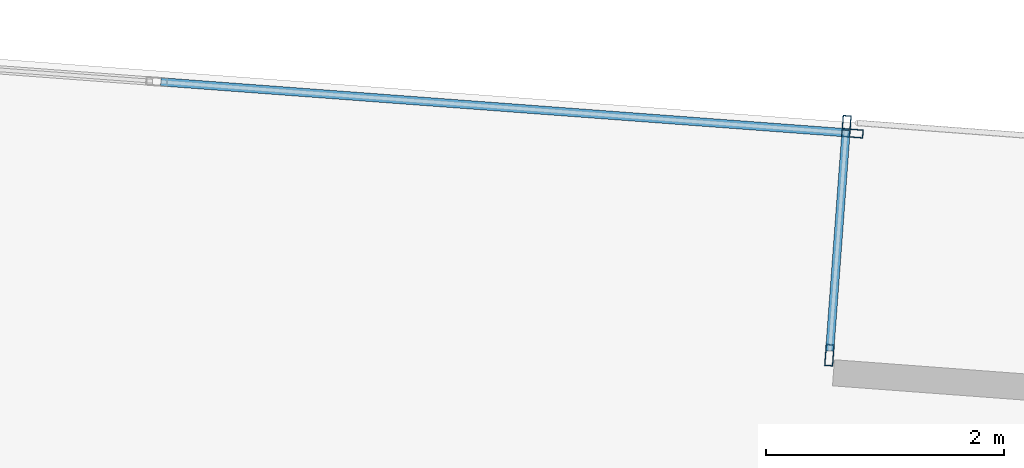
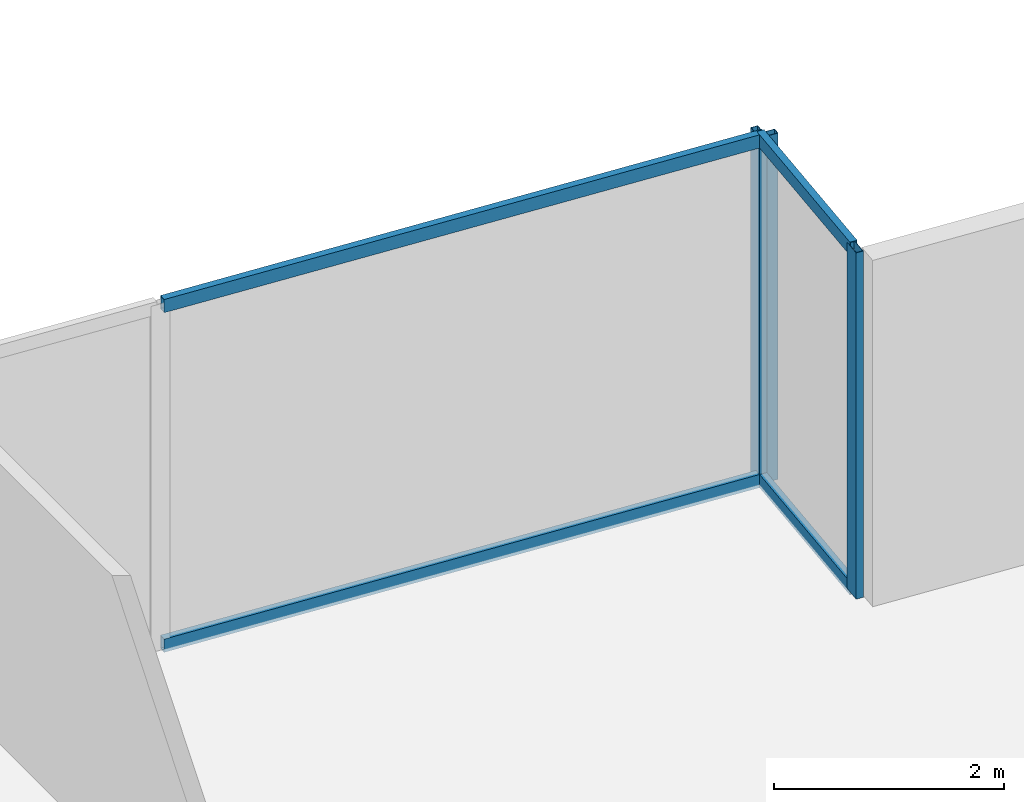
# One storey, part 20 of 30: 7 members, 2 elements without a shape of their own.
"""IFC4 building model written with IfcOpenShell, lengths in metres."""

import ifcopenshell
import ifcopenshell.guid

model = None  # the IFC model being written
_history = None  # IfcOwnerHistory: only IFC2X3 demands one
_inside = {}  # id of a spatial element -> (the spatial element, [elements in it])
_under = {}  # id of a project, library or spatial element -> (it, [spatial elements below it])
_declared = {}  # id of a project -> (the project, [libraries it declares])
_typed = {}  # id of a type object -> (the type object, [elements of that type])
_made_of = {}  # id of a material, layer set ... -> (it, [elements and type objects made of it])


def new_model(schema):
    """Start an empty IFC model of exactly this schema.

    Asked for "IFC4X3", IfcOpenShell would pick the latest addendum, in which some entities
    have other attributes; the version numbers below select the first issue.
    IFC2X3 requires an IfcOwnerHistory on every rooted entity: one is made here for all.
    """
    global model, _history
    if schema == "IFC4X3":
        model = ifcopenshell.file(schema_version=(4, 3, 0, 0))
    else:
        model = ifcopenshell.file(schema=schema)
    _inside.clear()
    _under.clear()
    _declared.clear()
    _typed.clear()
    _made_of.clear()
    _history = None
    if model.schema == "IFC2X3":
        org = make("IfcOrganization", Name="unknown")
        user = make(
            "IfcPersonAndOrganization",
            ThePerson=make("IfcPerson", FamilyName="unknown"),
            TheOrganization=org,
        )
        app = make(
            "IfcApplication",
            ApplicationDeveloper=org,
            Version="unknown",
            ApplicationFullName="unknown",
            ApplicationIdentifier="unknown",
        )
        _history = make(
            "IfcOwnerHistory",
            OwningUser=user,
            OwningApplication=app,
            ChangeAction="ADDED",
            CreationDate=0,
        )
    return model


def make(cls, **values):
    """One entity of the class cls with the attributes given. An attribute that is None is left unset."""
    return model.create_entity(
        cls, **{name: value for name, value in values.items() if value is not None}
    )


def rooted(cls, **values):
    """An entity with a GlobalId (a new one), such as an element, a storey or a relation."""
    return make(cls, GlobalId=ifcopenshell.guid.new(), OwnerHistory=_history, **values)


def si_unit(unit_type, name, prefix=None):
    """IfcSIUnit, for example si_unit("LENGTHUNIT", "METRE", prefix="MILLI")."""
    return make("IfcSIUnit", UnitType=unit_type, Prefix=prefix, Name=name)


def assignment(units):
    """IfcUnitAssignment: the units of a project."""
    return None if units is None else make("IfcUnitAssignment", Units=units)


def point(xyz):
    """IfcCartesianPoint."""
    return None if xyz is None else make("IfcCartesianPoint", Coordinates=xyz)


def direction(xyz):
    """IfcDirection."""
    return None if xyz is None else make("IfcDirection", DirectionRatios=xyz)


def frame(location, z_axis=None, x_axis=None):
    """IfcAxis2Placement3D, a coordinate frame: its origin and axes. An axis left out is left unset."""
    return make(
        "IfcAxis2Placement3D",
        Location=point(location),
        Axis=direction(z_axis),
        RefDirection=direction(x_axis),
    )


def frame_2d(location, x_axis=None):
    """IfcAxis2Placement2D, a coordinate frame in the plane: its origin and x axis."""
    return make(
        "IfcAxis2Placement2D", Location=point(location), RefDirection=direction(x_axis)
    )


def origin():
    """The frame at (0, 0, 0) with its axes left unset."""
    return frame((0.0, 0.0, 0.0))


def origin_2d():
    """The frame at (0, 0) in the plane with its x axis left unset."""
    return frame_2d((0.0, 0.0))


def place(relative_to, where):
    """IfcLocalPlacement: puts the frame where relative to a parent placement (None: the world)."""
    return make(
        "IfcLocalPlacement", PlacementRelTo=relative_to, RelativePlacement=where
    )


def context(
    kind, dimensions, precision=None, world=None, true_north=None, identifier=None
):
    """IfcGeometricRepresentationContext, for example the 3D "Model" context."""
    return make(
        "IfcGeometricRepresentationContext",
        ContextIdentifier=identifier,
        ContextType=kind,
        CoordinateSpaceDimension=dimensions,
        Precision=precision,
        WorldCoordinateSystem=world,
        TrueNorth=true_north,
    )


def subcontext(parent, identifier, kind, view, scale=None):
    """IfcGeometricRepresentationSubContext, for example "Body" below "Model"."""
    return make(
        "IfcGeometricRepresentationSubContext",
        ContextIdentifier=identifier,
        ContextType=kind,
        ParentContext=parent,
        TargetScale=scale,
        TargetView=view,
    )


def project(units=None, contexts=None):
    """IfcProject with its units and contexts."""
    return rooted(
        "IfcProject",
        Name="project",
        RepresentationContexts=contexts,
        UnitsInContext=assignment(units),
    )


def spatial(cls, under=None, at=None, **own):
    """A site, building, storey or space (cls), placed at a placement, below another one or the project."""
    s = rooted(cls, ObjectPlacement=at, **own)
    if under is not None:
        _under.setdefault(under.id(), (under, []))[1].append(s)
    return s


def profile(cls, at=None, kind="AREA", **sizes):
    """A parametric profile (cls). Its sizes go by their IFC names, for example OverallWidth=200.0."""
    return make(cls, ProfileType=kind, Position=at, **sizes)


def hollow_rectangle(**sizes):
    """IfcRectangleHollowProfileDef."""
    return profile("IfcRectangleHollowProfileDef", **sizes)


def extrude(swept, where, along, depth):
    """IfcExtrudedAreaSolid: the profile swept, set in the frame where, extruded along a direction by depth."""
    return make(
        "IfcExtrudedAreaSolid",
        SweptArea=swept,
        Position=where,
        ExtrudedDirection=direction(along),
        Depth=depth,
    )


def shape(context_of_items, identifier, shape_type, items):
    """IfcShapeRepresentation: the items that make up one representation, for example the "Body"."""
    return make(
        "IfcShapeRepresentation",
        ContextOfItems=context_of_items,
        RepresentationIdentifier=identifier,
        RepresentationType=shape_type,
        Items=items,
    )


def source(mapping_origin, context_of_items, identifier, shape_type, items):
    """IfcRepresentationMap: a shape defined once, which mapped items show again and again."""
    return make(
        "IfcRepresentationMap",
        MappingOrigin=mapping_origin,
        MappedRepresentation=shape(context_of_items, identifier, shape_type, items),
    )


def transform(
    local_origin,
    x_axis=None,
    y_axis=None,
    z_axis=None,
    scale=None,
    scale2=None,
    scale3=None,
    uniform=True,
):
    """IfcCartesianTransformationOperator3D, or its non-uniform kind. x_axis, y_axis, z_axis: its Axis1, 2, 3."""
    if uniform:
        return make(
            "IfcCartesianTransformationOperator3D",
            Axis1=direction(x_axis),
            Axis2=direction(y_axis),
            LocalOrigin=point(local_origin),
            Scale=scale,
            Axis3=direction(z_axis),
        )
    return make(
        "IfcCartesianTransformationOperator3DnonUniform",
        Axis1=direction(x_axis),
        Axis2=direction(y_axis),
        LocalOrigin=point(local_origin),
        Scale=scale,
        Axis3=direction(z_axis),
        Scale2=scale2,
        Scale3=scale3,
    )


def mapped(mapping_source, mapping_target):
    """IfcMappedItem: shows the shape of a source again, moved by a transform."""
    return make(
        "IfcMappedItem", MappingSource=mapping_source, MappingTarget=mapping_target
    )


def material(Name=None, Category=None):
    """IfcMaterial."""
    return make("IfcMaterial", Name=Name, Category=Category)


def material_profile(
    of_material, cross_section, Name=None, Category=None, Priority=None
):
    """IfcMaterialProfile: a cross section and its material."""
    return make(
        "IfcMaterialProfile",
        Name=Name,
        Material=of_material,
        Profile=cross_section,
        Priority=Priority,
        Category=Category,
    )


def profile_set(profiles, Name=None, composite=None):
    """IfcMaterialProfileSet."""
    return make(
        "IfcMaterialProfileSet",
        Name=Name,
        MaterialProfiles=profiles,
        CompositeProfile=composite,
    )


def made_of(thing, what):
    """Note that an element or type object is made of a material, layer set ...; save() writes the relation."""
    if what is not None:
        _made_of.setdefault(what.id(), (what, []))[1].append(thing)
    return thing


def type_object(cls, material=None, **own):
    """A type object (cls), such as IfcWallType, which elements share."""
    return made_of(rooted(cls, **own), material)


def type_shapes(of_type, sources):
    """Give a type object the sources (RepresentationMaps) that its elements show as mapped items."""
    of_type.RepresentationMaps = sources


def element(
    cls,
    number,
    at=None,
    inside=None,
    cuts=None,
    type_object=None,
    material=None,
    context=None,
    identifier="Body",
    shape_type=None,
    held_by="IfcProductDefinitionShape",
    body=None,
    shapes=None,
    **own,
):
    """One element of the class cls, such as IfcWall. Its Tag is "e" and its number.

    at: its placement. inside: the storey or other place that contains it. cuts: it is an
    opening in that element (IfcRelVoidsElement). A single representation is given by context,
    identifier, shape_type and body (its items); several are given by shapes. held_by: the class
    of the entity that holds the representations. save() writes the other relations.
    """
    e = rooted(cls, Tag="e%d" % number, ObjectPlacement=at, **own)
    if body is not None:
        shapes = [shape(context, identifier, shape_type, body)]
    if shapes is not None:
        e.Representation = make(held_by, Representations=shapes)
    if inside is not None:
        _inside.setdefault(inside.id(), (inside, []))[1].append(e)
    if cuts is not None:
        rooted(
            "IfcRelVoidsElement", RelatingBuildingElement=cuts, RelatedOpeningElement=e
        )
    if type_object is not None:
        _typed.setdefault(type_object.id(), (type_object, []))[1].append(e)
    return made_of(e, material)


def aggregate(whole, parts):
    """IfcRelAggregates: a whole, such as a stair, and the parts it consists of."""
    return rooted("IfcRelAggregates", RelatingObject=whole, RelatedObjects=parts)


def save(model, path):
    """Write the relations noted so far, then the file.

    IfcRelAggregates (storeys below a building ...), IfcRelContainedInSpatialStructure (elements
    in a storey), IfcRelDefinesByType, IfcRelAssociatesMaterial and IfcRelDeclares: one each for
    every whole, place, type object, material and project.
    """
    for whole, parts in _under.values():
        aggregate(whole, parts)
    for where, things in _inside.values():
        rooted(
            "IfcRelContainedInSpatialStructure",
            RelatedElements=things,
            RelatingStructure=where,
        )
    for kind, things in _typed.values():
        rooted("IfcRelDefinesByType", RelatedObjects=things, RelatingType=kind)
    for what, things in _made_of.values():
        rooted("IfcRelAssociatesMaterial", RelatedObjects=things, RelatingMaterial=what)
    for by, libraries in _declared.values():
        rooted("IfcRelDeclares", RelatingContext=by, RelatedDefinitions=libraries)
    model.write(path)


model = new_model("IFC4")

# Units and contexts
model_context = context("Model", 3, precision=1e-05, world=origin(), true_north=direction((0.0, 1.0)))
body_context = subcontext(model_context, "Body", "Model", "MODEL_VIEW")
ifc_project = project(units=[si_unit("LENGTHUNIT", "METRE"), si_unit("AREAUNIT", "SQUARE_METRE"), si_unit("VOLUMEUNIT", "CUBIC_METRE"), si_unit("PLANEANGLEUNIT", "RADIAN"), si_unit("MASSUNIT", "GRAM", prefix="KILO")], contexts=[model_context])

# Site, building, storey
site_placement = place(None, origin())
site = spatial("IfcSite", under=ifc_project, at=site_placement, CompositionType="ELEMENT")
building_placement = place(site_placement, origin())
building = spatial("IfcBuilding", under=site, at=building_placement, Name="Krantzveldt Concourse Tower", CompositionType="ELEMENT")
storey_placement = place(building_placement, frame((0.0, 0.0, 52.64990234375)))
storey = spatial("IfcBuildingStorey", under=building, at=storey_placement, Name="L12", CompositionType="ELEMENT", Elevation=52.64990234375)

# Curtain wall, members
ifc_material = material(Name="Anodised aluminium 6063-T6", Category="aluminium")
curtain_wall_type_1 = type_object("IfcCurtainWallType", Name="CW6", PredefinedType="USERDEFINED", material=ifc_material)
curtain_wall_1_placement = place(storey_placement, origin())
curtain_wall_1 = element("IfcCurtainWall", 1, at=curtain_wall_1_placement, inside=storey, type_object=curtain_wall_type_1, Name="CW-L12-TR13", ObjectType="UNITISED CURTAIN WALL", PredefinedType="USERDEFINED")
ifc_material_profile_1 = material_profile(ifc_material, hollow_rectangle(XDim=0.070068359375, YDim=0.179931640625, WallThickness=0.0048828125, at=origin_2d()), Name="Anodised aluminium 6063-T6", Category="aluminium")
ifc_profile_set_1 = profile_set([ifc_material_profile_1], Name="Anodised aluminium 6063-T6 - ALU-MULL 180x70x5")
member_type_1 = type_object("IfcMemberType", Name="CW-MUL-180", PredefinedType="MULLION", material=ifc_profile_set_1)
shared_shape_1 = source(origin(), body_context, "Body", "SweptSolid", [
    extrude(hollow_rectangle(XDim=0.070068359375, YDim=0.179931640625, WallThickness=0.0048828125, at=origin_2d()), origin(), (0.0, 0.0, 1.0), 3.670166015625),
])
type_shapes(member_type_1, [shared_shape_1])
member_1_placement = place(storey_placement, frame((33.827880859375, 49.9599609375, 0.0), z_axis=(0.0, 0.0, 1.0), x_axis=(-0.997250072499, 0.074110005396, 0.0)))
member_1 = element("IfcMember", 2, at=member_1_placement, type_object=member_type_1, Name="CW-TERR mullion 1", PredefinedType="MULLION", context=body_context, shape_type="MappedRepresentation", body=[
    mapped(shared_shape_1, transform((0.0, 0.0, 0.0), x_axis=(1.0, 0.0, 0.0), y_axis=(0.0, 1.0, 0.0), z_axis=(0.0, 0.0, 1.0), scale=1.0)),
])
member_2_placement = place(storey_placement, frame((33.970703125, 51.884521484375, 0.0), z_axis=(0.0, 0.0, 1.0), x_axis=(-0.997250072499, 0.074110005396, 0.0)))
member_2 = element("IfcMember", 3, at=member_2_placement, type_object=member_type_1, Name="CW-TERR mullion 2", PredefinedType="MULLION", context=body_context, shape_type="MappedRepresentation", body=[
    mapped(shared_shape_1, transform((0.0, 0.0, 0.0), x_axis=(1.0, 0.0, 0.0), y_axis=(0.0, 1.0, 0.0), z_axis=(0.0, 0.0, 1.0), scale=1.0)),
])

curtain_wall_type_2 = type_object("IfcCurtainWallType", Name="CW2", PredefinedType="USERDEFINED", material=ifc_material)
curtain_wall_2_placement = place(storey_placement, origin())
curtain_wall_2 = element("IfcCurtainWall", 4, at=curtain_wall_2_placement, inside=storey, type_object=curtain_wall_type_2, Name="CW-L12-F14", ObjectType="UNITISED CURTAIN WALL", PredefinedType="USERDEFINED")
member_3_placement = place(storey_placement, frame((34.021484375, 51.82568359375, 0.0), z_axis=(0.0, 0.0, 1.0), x_axis=(-0.074108467464, -0.997250186789, 0.0)))
member_3 = element("IfcMember", 5, at=member_3_placement, type_object=member_type_1, Name="CW-Z12 mullion 1", PredefinedType="MULLION", context=body_context, shape_type="MappedRepresentation", body=[
    mapped(shared_shape_1, transform((0.0, 0.0, 0.0), x_axis=(1.0, 0.0, 0.0), y_axis=(0.0, 1.0, 0.0), z_axis=(0.0, 0.0, 1.0), scale=1.0)),
])
ifc_material_profile_2 = material_profile(ifc_material, hollow_rectangle(XDim=0.070068359375, YDim=0.139892578125, WallThickness=0.0048828125, at=origin_2d()), Name="Anodised aluminium 6063-T6", Category="aluminium")
ifc_profile_set_2 = profile_set([ifc_material_profile_2], Name="Anodised aluminium 6063-T6 - ALU-TRAN 140x70x5")
member_type_2 = type_object("IfcMemberType", Name="CW-TRN-150", PredefinedType="USERDEFINED", material=ifc_profile_set_2)
shared_shape_2 = source(origin(), body_context, "Body", "SweptSolid", [
    extrude(hollow_rectangle(XDim=0.070068359375, YDim=0.139892578125, WallThickness=0.0048828125, at=origin_2d()), origin(), (0.0, 0.0, 1.0), 5.794921875),
])
member_4_placement = place(storey_placement, frame((33.986572265625, 51.828369140625, 0.03515625), z_axis=(-0.997250369291, 0.074106011558, 0.0), x_axis=(-0.074106011558, -0.997250369291, 0.0)))
member_4 = element("IfcMember", 6, at=member_4_placement, type_object=member_type_2, Name="CW-Z12 transom 1.1", ObjectType="TRANSOM", PredefinedType="USERDEFINED", context=body_context, shape_type="MappedRepresentation", body=[
    mapped(shared_shape_2, transform((0.0, 0.0, 0.0), x_axis=(1.0, 0.0, 0.0), y_axis=(0.0, 1.0, 0.0), z_axis=(0.0, 0.0, 1.0), scale=1.0)),
])
member_5_placement = place(storey_placement, frame((33.986572265625, 51.828369140625, 3.635009765625), z_axis=(-0.997250369291, 0.074106011558, 0.0), x_axis=(-0.074106011558, -0.997250369291, 0.0)))
member_5 = element("IfcMember", 7, at=member_5_placement, type_object=member_type_2, Name="CW-Z12 transom 1.2", ObjectType="TRANSOM", PredefinedType="USERDEFINED", context=body_context, shape_type="MappedRepresentation", body=[
    mapped(shared_shape_2, transform((0.0, 0.0, 0.0), x_axis=(1.0, 0.0, 0.0), y_axis=(0.0, 1.0, 0.0), z_axis=(0.0, 0.0, 1.0), scale=1.0)),
])
aggregate(curtain_wall_2, [member_3, member_4, member_5])

# Member
shared_shape_3 = source(origin(), body_context, "Body", "SweptSolid", [
    extrude(hollow_rectangle(XDim=0.070068359375, YDim=0.139892578125, WallThickness=0.0048828125, at=origin_2d()), origin(), (0.0, 0.0, 1.0), 1.860107421875),
])
type_shapes(member_type_2, [shared_shape_2, shared_shape_3])
member_6_placement = place(storey_placement, frame((33.830322265625, 49.994873046875, 0.03515625), z_axis=(0.074156925542, 0.997246584549, 0.0), x_axis=(-0.997246584549, 0.074156925542, 0.0)))
member_6 = element("IfcMember", 8, at=member_6_placement, type_object=member_type_2, Name="CW-TERR transom 1.1", ObjectType="TRANSOM", PredefinedType="USERDEFINED", context=body_context, shape_type="MappedRepresentation", body=[
    mapped(shared_shape_3, transform((0.0, 0.0, 0.0), x_axis=(1.0, 0.0, 0.0), y_axis=(0.0, 1.0, 0.0), z_axis=(0.0, 0.0, 1.0), scale=1.0)),
])

member_7_placement = place(storey_placement, frame((33.830322265625, 49.994873046875, 3.635009765625), z_axis=(0.074156925542, 0.997246584549, 0.0), x_axis=(-0.997246584549, 0.074156925542, 0.0)))
member_7 = element("IfcMember", 9, at=member_7_placement, type_object=member_type_2, Name="CW-TERR transom 1.2", ObjectType="TRANSOM", PredefinedType="USERDEFINED", context=body_context, shape_type="MappedRepresentation", body=[
    mapped(shared_shape_3, transform((0.0, 0.0, 0.0), x_axis=(1.0, 0.0, 0.0), y_axis=(0.0, 1.0, 0.0), z_axis=(0.0, 0.0, 1.0), scale=1.0)),
])

aggregate(curtain_wall_1, [member_1, member_2, member_6, member_7])

save(model, "model.ifc")
